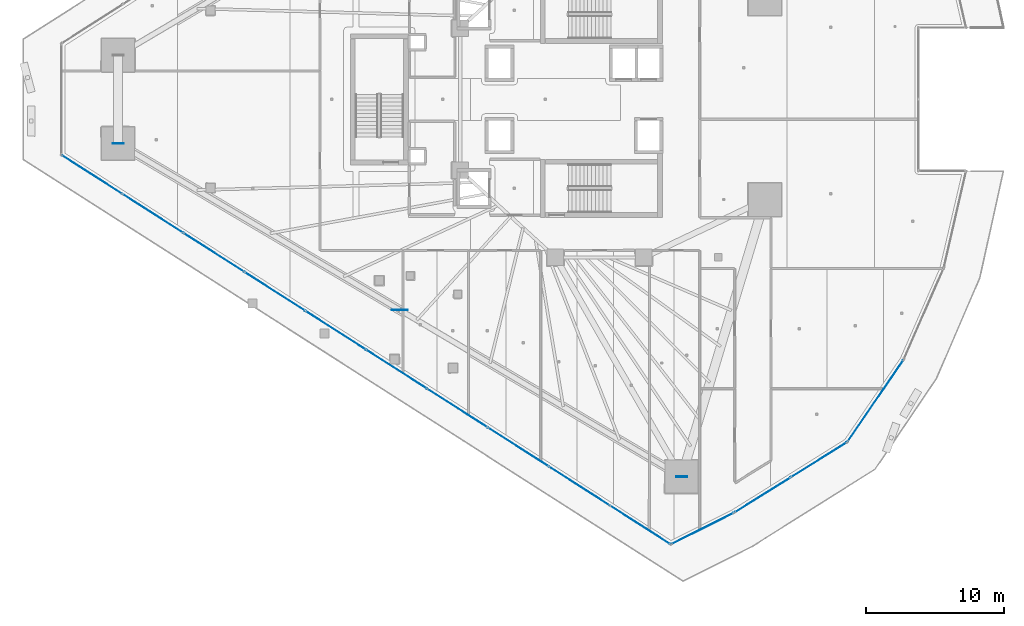
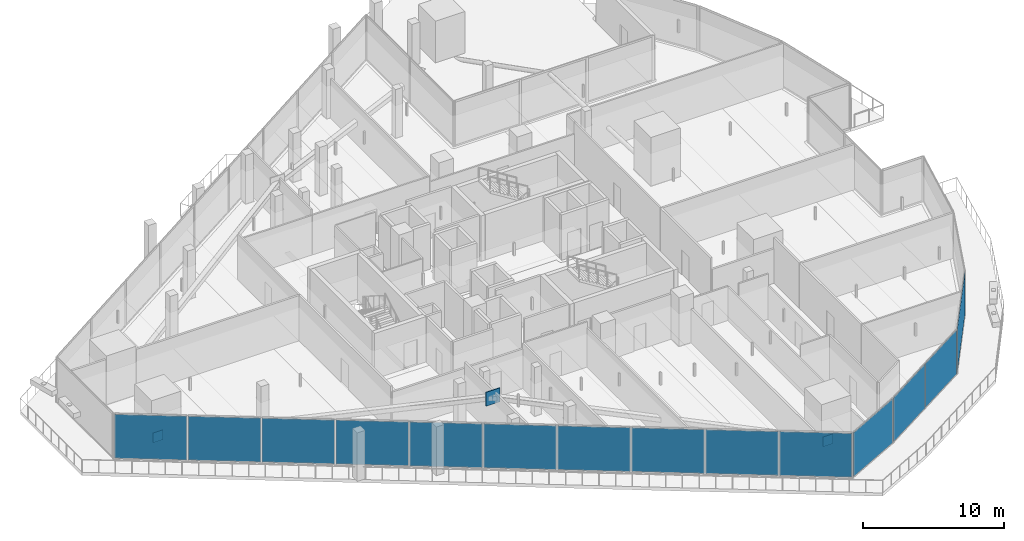
# One storey, part 27 of 47: 17 plates, 4 elements without a shape of their own.
"""IFC4 building model written with IfcOpenShell, lengths in metres."""

from ifc_helpers import new_model, si_unit, direction, frame, origin, origin_2d, place, context, subcontext, project, spatial, rectangle, extrude, material, layer, layer_set, type_object, element, aggregate, save


model = new_model("IFC4")

# Units and contexts
model_context = context("Model", 3, precision=1e-05, world=origin(), true_north=direction((0.0, 1.0)))
body_context = subcontext(model_context, "Body", "Model", "MODEL_VIEW")
ifc_project = project(units=[si_unit("LENGTHUNIT", "METRE"), si_unit("AREAUNIT", "SQUARE_METRE"), si_unit("VOLUMEUNIT", "CUBIC_METRE"), si_unit("PLANEANGLEUNIT", "RADIAN"), si_unit("MASSUNIT", "GRAM", prefix="KILO")], contexts=[model_context])

# Site, building, storey
site_placement = place(None, origin())
site = spatial("IfcSite", under=ifc_project, at=site_placement, CompositionType="ELEMENT")
building_placement = place(site_placement, origin())
building = spatial("IfcBuilding", under=site, at=building_placement, Name="Qorvath Tower", CompositionType="ELEMENT")
storey_placement = place(building_placement, frame((0.0, 0.0, 74.39990234375)))
storey = spatial("IfcBuildingStorey", under=building, at=storey_placement, Name="L16", CompositionType="ELEMENT", Elevation=74.39990234375)

# Curtain wall, plates
ifc_material_1 = material(Name="Anodised aluminium and triple low-E glass", Category="aluminium")
ifc_layer_1 = layer(ifc_material_1, 0.179931640625)
ifc_layer_set_1 = layer_set([ifc_layer_1], Name="CW-SYS-5")
curtain_wall_type = type_object("IfcCurtainWallType", Name="CW-SYS-5", PredefinedType="NOTDEFINED", material=ifc_layer_set_1)
curtain_wall_1_placement = place(storey_placement, origin())
curtain_wall_1 = element("IfcCurtainWall", 1, at=curtain_wall_1_placement, inside=storey, type_object=curtain_wall_type, Name="Curtain Wall CW-5 CW-T-L16-6.1", PredefinedType="NOTDEFINED")
ifc_material_2 = material(Name="Low-E triple insulated glass", Category="glass")
ifc_layer_2 = layer(ifc_material_2, 0.031982421875)
ifc_layer_set_2 = layer_set([ifc_layer_2], Name="CWP-GLZ-32")
plate_type_1 = type_object("IfcPlateType", Name="CWP-GLZ-32", PredefinedType="CURTAIN_PANEL", material=ifc_layer_set_2)
plate_1_placement = place(storey_placement, frame((-57.1728515625, -5.451171875, 0.06494140625), z_axis=(0.0, 0.0, 1.0), x_axis=(0.842604306439, -0.538533177038, 0.0)))
plate_1 = element("IfcPlate", 2, at=plate_1_placement, type_object=plate_type_1, Name="CW-5 panel 1.1", PredefinedType="CURTAIN_PANEL", context=body_context, shape_type="SweptSolid", body=[
    extrude(rectangle(XDim=5.12646484375, YDim=0.031982421875, at=origin_2d()), origin(), (0.0, 0.0, 1.0), 3.790283203125),
])
plate_2_placement = place(storey_placement, frame((-52.774169921875, -8.262451171875, 0.06494140625), z_axis=(0.0, 0.0, 1.0), x_axis=(0.842604306439, -0.538533177038, 0.0)))
plate_2 = element("IfcPlate", 3, at=plate_2_placement, type_object=plate_type_1, Name="CW-5 panel 2.1", PredefinedType="CURTAIN_PANEL", context=body_context, shape_type="SweptSolid", body=[
    extrude(rectangle(XDim=5.1640625, YDim=0.031982421875, at=origin_2d()), origin(), (0.0, 0.0, 1.0), 3.790283203125),
])
plate_3_placement = place(storey_placement, frame((-48.35986328125, -11.083984375, 0.06494140625), z_axis=(0.0, 0.0, 1.0), x_axis=(0.842604306439, -0.538533177038, 0.0)))
plate_3 = element("IfcPlate", 4, at=plate_3_placement, type_object=plate_type_1, Name="CW-5 panel 3.1", PredefinedType="CURTAIN_PANEL", context=body_context, shape_type="SweptSolid", body=[
    extrude(rectangle(XDim=5.1640625, YDim=0.031982421875, at=origin_2d()), origin(), (0.0, 0.0, 1.0), 3.790283203125),
])
plate_4_placement = place(storey_placement, frame((-43.945556640625, -13.9052734375, 0.06494140625), z_axis=(0.0, 0.0, 1.0), x_axis=(0.842604306439, -0.538533177038, 0.0)))
plate_4 = element("IfcPlate", 5, at=plate_4_placement, type_object=plate_type_1, Name="CW-5 panel 4.1", PredefinedType="CURTAIN_PANEL", context=body_context, shape_type="SweptSolid", body=[
    extrude(rectangle(XDim=5.1640625, YDim=0.031982421875, at=origin_2d()), origin(), (0.0, 0.0, 1.0), 3.790283203125),
])
plate_5_placement = place(storey_placement, frame((-39.531005859375, -16.7265625, 0.06494140625), z_axis=(0.0, 0.0, 1.0), x_axis=(0.842604306439, -0.538533177038, 0.0)))
plate_5 = element("IfcPlate", 6, at=plate_5_placement, type_object=plate_type_1, Name="CW-5 panel 5.1", PredefinedType="CURTAIN_PANEL", context=body_context, shape_type="SweptSolid", body=[
    extrude(rectangle(XDim=5.1640625, YDim=0.031982421875, at=origin_2d()), origin(), (0.0, 0.0, 1.0), 3.790283203125),
])
plate_6_placement = place(storey_placement, frame((-35.11669921875, -19.548095703125, 0.06494140625), z_axis=(0.0, 0.0, 1.0), x_axis=(0.842604306439, -0.538533177038, 0.0)))
plate_6 = element("IfcPlate", 7, at=plate_6_placement, type_object=plate_type_1, Name="CW-5 panel 6.1", PredefinedType="CURTAIN_PANEL", context=body_context, shape_type="SweptSolid", body=[
    extrude(rectangle(XDim=5.1640625, YDim=0.031982421875, at=origin_2d()), origin(), (0.0, 0.0, 1.0), 3.790283203125),
])
plate_7_placement = place(storey_placement, frame((-30.702392578125, -22.369384765625, 0.06494140625), z_axis=(0.0, 0.0, 1.0), x_axis=(0.842604306439, -0.538533177038, 0.0)))
plate_7 = element("IfcPlate", 8, at=plate_7_placement, type_object=plate_type_1, Name="CW-5 panel 7.1", PredefinedType="CURTAIN_PANEL", context=body_context, shape_type="SweptSolid", body=[
    extrude(rectangle(XDim=5.1640625, YDim=0.031982421875, at=origin_2d()), origin(), (0.0, 0.0, 1.0), 3.790283203125),
])
plate_8_placement = place(storey_placement, frame((-26.287841796875, -25.190673828125, 0.06494140625), z_axis=(0.0, 0.0, 1.0), x_axis=(0.842604306439, -0.538533177038, 0.0)))
plate_8 = element("IfcPlate", 9, at=plate_8_placement, type_object=plate_type_1, Name="CW-5 panel 8.1", PredefinedType="CURTAIN_PANEL", context=body_context, shape_type="SweptSolid", body=[
    extrude(rectangle(XDim=5.1640625, YDim=0.031982421875, at=origin_2d()), origin(), (0.0, 0.0, 1.0), 3.790283203125),
])
plate_9_placement = place(storey_placement, frame((-21.87353515625, -28.011962890625, 0.06494140625), z_axis=(0.0, 0.0, 1.0), x_axis=(0.842604306439, -0.538533177038, 0.0)))
plate_9 = element("IfcPlate", 10, at=plate_9_placement, type_object=plate_type_1, Name="CW-5 panel 9.1", PredefinedType="CURTAIN_PANEL", context=body_context, shape_type="SweptSolid", body=[
    extrude(rectangle(XDim=5.1640625, YDim=0.031982421875, at=origin_2d()), origin(), (0.0, 0.0, 1.0), 3.790283203125),
])
plate_10_placement = place(storey_placement, frame((-17.47509765625, -30.8232421875, 0.06494140625), z_axis=(0.0, 0.0, 1.0), x_axis=(0.842604306439, -0.538533177038, 0.0)))
plate_10 = element("IfcPlate", 11, at=plate_10_placement, type_object=plate_type_1, Name="CW-5 panel 10.1", PredefinedType="CURTAIN_PANEL", context=body_context, shape_type="SweptSolid", body=[
    extrude(rectangle(XDim=5.12646484375, YDim=0.031982421875, at=origin_2d()), origin(), (0.0, 0.0, 1.0), 3.790283203125),
])
aggregate(curtain_wall_1, [plate_1, plate_2, plate_3, plate_4, plate_5, plate_6, plate_7, plate_8, plate_9, plate_10])

# Curtain wall, plate
curtain_wall_2_placement = place(storey_placement, origin())
curtain_wall_2 = element("IfcCurtainWall", 12, at=curtain_wall_2_placement, inside=storey, type_object=curtain_wall_type, Name="Curtain Wall CW-5 CW-T-L16-7.1", PredefinedType="NOTDEFINED")
plate_11_placement = place(storey_placement, frame((-12.94873046875, -31.092529296875, 0.06494140625), z_axis=(0.0, 0.0, 1.0), x_axis=(0.894431074308, 0.4472058288, 0.0)))
plate_11 = element("IfcPlate", 13, at=plate_11_placement, type_object=plate_type_1, Name="CW-5 panel 1.1", PredefinedType="CURTAIN_PANEL", context=body_context, shape_type="SweptSolid", body=[
    extrude(rectangle(XDim=5.000244140625, YDim=0.031982421875, at=origin_2d()), origin(), (0.0, 0.0, 1.0), 3.790283203125),
])
aggregate(curtain_wall_2, [plate_11])

# Curtain wall, plates
curtain_wall_3_placement = place(storey_placement, origin())
curtain_wall_3 = element("IfcCurtainWall", 14, at=curtain_wall_3_placement, inside=storey, type_object=curtain_wall_type, Name="Curtain Wall CW-5 CW-T-L16-8.1", PredefinedType="NOTDEFINED")
plate_12_placement = place(storey_placement, frame((-8.582275390625, -28.652587890625, 0.06494140625), z_axis=(0.0, 0.0, 1.0), x_axis=(0.848219351358, 0.529645100027, 0.0)))
plate_12 = element("IfcPlate", 15, at=plate_12_placement, type_object=plate_type_1, Name="CW-5 panel 1.1", PredefinedType="CURTAIN_PANEL", context=body_context, shape_type="SweptSolid", body=[
    extrude(rectangle(XDim=4.71484375, YDim=0.031982421875, at=origin_2d()), origin(), (0.0, 0.0, 1.0), 3.790283203125),
])
plate_13_placement = place(storey_placement, frame((-4.51953125, -26.11572265625, 0.06494140625), z_axis=(0.0, 0.0, 1.0), x_axis=(0.848219351358, 0.529645100027, 0.0)))
plate_13 = element("IfcPlate", 16, at=plate_13_placement, type_object=plate_type_1, Name="CW-5 panel 2.1", PredefinedType="CURTAIN_PANEL", context=body_context, shape_type="SweptSolid", body=[
    extrude(rectangle(XDim=4.71484375, YDim=0.031982421875, at=origin_2d()), origin(), (0.0, 0.0, 1.0), 3.790283203125),
])
aggregate(curtain_wall_3, [plate_12, plate_13])

# Curtain wall, plate
curtain_wall_4_placement = place(storey_placement, origin())
curtain_wall_4 = element("IfcCurtainWall", 17, at=curtain_wall_4_placement, inside=storey, type_object=curtain_wall_type, Name="Curtain Wall CW-5 CW-T-L16-9.1", PredefinedType="NOTDEFINED")
plate_14_placement = place(storey_placement, frame((-0.416748046875, -21.84130859375, 0.06494140625), z_axis=(0.0, 0.0, 1.0), x_axis=(0.563998211602, 0.825776009163, 0.0)))
plate_14 = element("IfcPlate", 18, at=plate_14_placement, type_object=plate_type_1, Name="CW-5 panel 1.1", PredefinedType="CURTAIN_PANEL", context=body_context, shape_type="SweptSolid", body=[
    extrude(rectangle(XDim=7.08251953125, YDim=0.031982421875, at=origin_2d()), origin(), (0.0, 0.0, 1.0), 3.790283203125),
])
aggregate(curtain_wall_4, [plate_14])

# Plates
ifc_material_3 = material(Name="Steel ASTM A572 Grade 50", Category="steel")
ifc_layer_3 = layer(ifc_material_3, 0.054931640625)
ifc_layer_set_3 = layer_set([ifc_layer_3], Name="PL-MBN1")
plate_type_2 = type_object("IfcPlateType", Name="PL-MBN1", PredefinedType="USERDEFINED", material=ifc_layer_set_3)
plate_15_placement = place(storey_placement, frame((-34.873779296875, -15.2626953125, 2.97021484375), z_axis=(0.0, 0.0, 1.0), x_axis=(1.0, 0.0, 0.0)))
element("IfcPlate", 19, at=plate_15_placement, inside=storey, type_object=plate_type_2, Name="Mega-Brace Chevron Apex Gusset L16-2", ObjectType="GUSSET", PredefinedType="USERDEFINED", context=body_context, shape_type="SweptSolid", body=[
    extrude(rectangle(XDim=1.14990234375, YDim=0.054931640625, at=origin_2d()), origin(), (0.0, 0.0, 1.0), 1.199951171875),
])
for number, where, z_axis, x_axis, name in (
    (20, (-55.282958984375, -3.194580078125, -0.425048828125), (0.0, 0.0, 1.0), (1.0, 0.0, 0.0), "Brace Strut End Gusset Plate NDBG-087"),
    (21, (-14.46435546875, -27.330810546875, -0.425048828125), (0.0, 0.0, 1.0), (1.0, 0.0, 0.0), "Brace Strut End Gusset Plate NDBG-088"),
):
    element("IfcPlate", number, at=place(storey_placement, frame(where, z_axis=z_axis, x_axis=x_axis)), inside=storey, type_object=plate_type_2, Name=name, ObjectType="GUSSET", PredefinedType="USERDEFINED", context=body_context, shape_type="SweptSolid", body=[
        extrude(rectangle(XDim=0.800048828125, YDim=0.054931640625, at=origin_2d()), origin(), (0.0, 0.0, 1.0), 0.85009765625),
    ])

save(model, "model.ifc")
